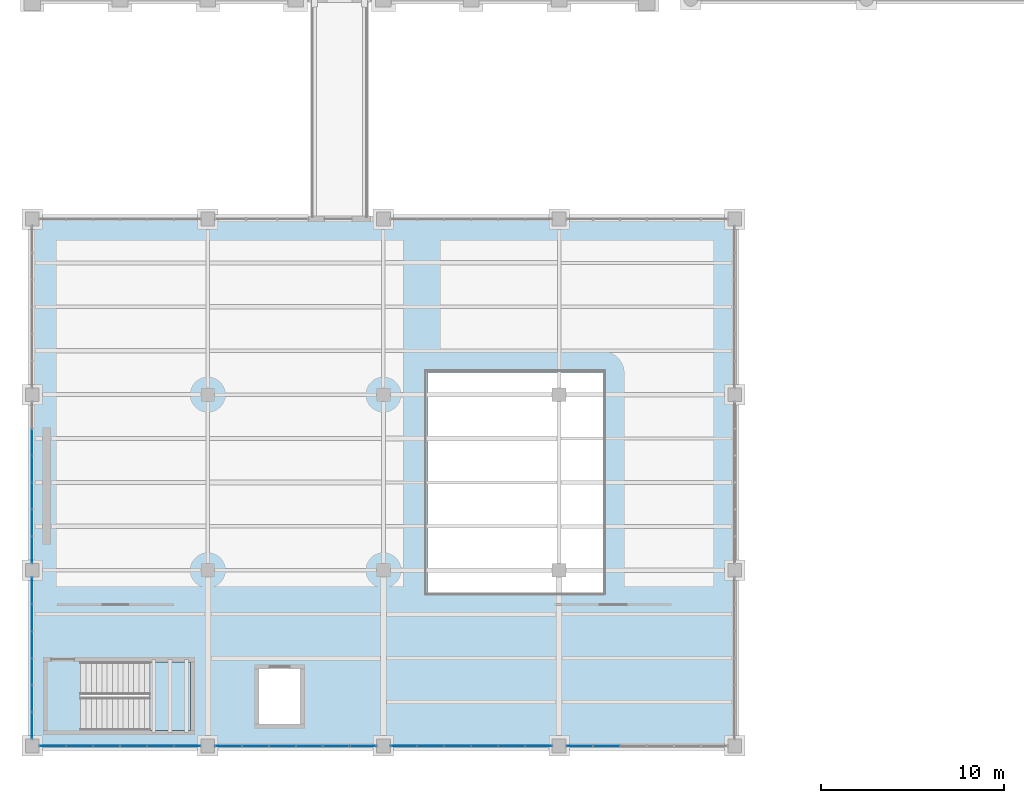
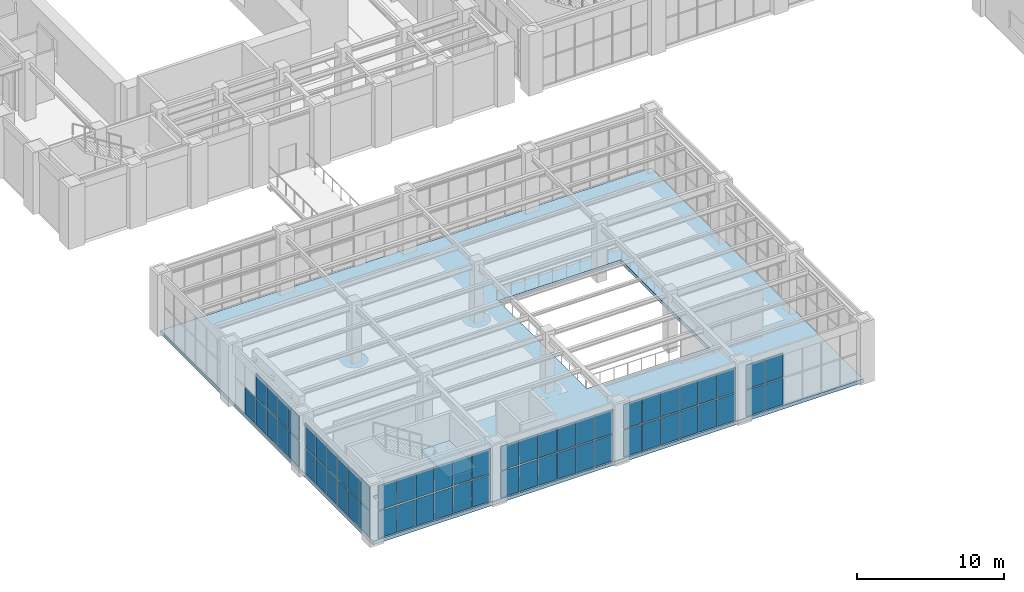
# One storey, part 122 of 174: 61 plates, 2 slabs, 7 elements without a shape of their own.
"""IFC4 building model written with IfcOpenShell, lengths in metres."""

from ifc_helpers import new_model, si_unit, direction, frame, origin, origin_2d, place, context, subcontext, project, spatial, polyline, rectangle, outline, extrude, material, layer, layer_set, type_object, element, aggregate, save


model = new_model("IFC4")

# Units and contexts
model_context = context("Model", 3, precision=1e-05, world=origin(), true_north=direction((0.0, 1.0)))
body_context = subcontext(model_context, "Body", "Model", "MODEL_VIEW")
ifc_project = project(units=[si_unit("LENGTHUNIT", "METRE"), si_unit("AREAUNIT", "SQUARE_METRE"), si_unit("VOLUMEUNIT", "CUBIC_METRE"), si_unit("PLANEANGLEUNIT", "RADIAN"), si_unit("MASSUNIT", "GRAM", prefix="KILO")], contexts=[model_context])

# Site, building, storey
site_placement = place(None, origin())
site = spatial("IfcSite", under=ifc_project, at=site_placement, CompositionType="ELEMENT")
building_placement = place(site_placement, origin())
building = spatial("IfcBuilding", under=site, at=building_placement, Name="Mavantir Sound Aquarium", CompositionType="ELEMENT")
storey_placement = place(building_placement, frame((0.0, 0.0, 5.39990234375)))
storey = spatial("IfcBuildingStorey", under=building, at=storey_placement, Name="L01", CompositionType="ELEMENT", Elevation=5.39990234375)

# Curtain wall, plates
ifc_material_1 = material(Name="Anodised Marine Aluminium and Low-E Glass", Category="aluminium")
curtain_wall_type_1 = type_object("IfcCurtainWallType", Name="CW-T03", PredefinedType="USERDEFINED", material=ifc_material_1)
curtain_wall_1_placement = place(storey_placement, origin())
curtain_wall_1 = element("IfcCurtainWall", 1, at=curtain_wall_1_placement, inside=storey, type_object=curtain_wall_type_1, Name="L01 unitised curtain wall CW-03 75", ObjectType="UNITISED GLAZING", PredefinedType="USERDEFINED")
ifc_material_2 = material(Name="Solar-Control Laminated Low-E Glass", Category="glass")
ifc_layer_1 = layer(ifc_material_2, 0.028076171875, Name="Solar-Control Laminated Low-E Glass")
ifc_layer_set_1 = layer_set([ifc_layer_1], Name="Solar-Control Laminated Low-E Glass")
plate_type_1 = type_object("IfcPlateType", Name="CW-PNL-28", PredefinedType="CURTAIN_PANEL", material=ifc_layer_set_1)
plate_1_placement = place(storey_placement, frame((0.0, 16.6083984375, 0.10302734375), z_axis=(0.0, 0.0, 1.0), x_axis=(0.0, -1.0, 0.0)))
plate_1 = element("IfcPlate", 2, at=plate_1_placement, type_object=plate_type_1, Name="CW-L01-075 glazed curtain panel 2.1", PredefinedType="CURTAIN_PANEL", context=body_context, shape_type="SweptSolid", body=[
    extrude(rectangle(XDim=1.42431640625, YDim=0.028076171875, at=origin_2d()), origin(), (0.0, 0.0, 1.0), 2.143798828125),
])
plate_2_placement = place(storey_placement, frame((0.0, 15.13623046875, 0.10302734375), z_axis=(0.0, 0.0, 1.0), x_axis=(0.0, -1.0, 0.0)))
plate_2 = element("IfcPlate", 3, at=plate_2_placement, type_object=plate_type_1, Name="CW-L01-075 glazed curtain panel 3.1", PredefinedType="CURTAIN_PANEL", context=body_context, shape_type="SweptSolid", body=[
    extrude(rectangle(XDim=1.42431640625, YDim=0.028076171875, at=origin_2d()), origin(), (0.0, 0.0, 1.0), 2.143798828125),
])
plate_3_placement = place(storey_placement, frame((0.0, 15.13623046875, 2.3427734375), z_axis=(0.0, 0.0, 1.0), x_axis=(0.0, -1.0, 0.0)))
plate_3 = element("IfcPlate", 4, at=plate_3_placement, type_object=plate_type_1, Name="CW-L01-075 glazed curtain panel 3.2", PredefinedType="CURTAIN_PANEL", context=body_context, shape_type="SweptSolid", body=[
    extrude(rectangle(XDim=1.42431640625, YDim=0.028076171875, at=origin_2d()), origin(), (0.0, 0.0, 1.0), 1.96728515625),
])
plate_4_placement = place(storey_placement, frame((0.0, 13.663818359375, 0.10302734375), z_axis=(0.0, 0.0, 1.0), x_axis=(0.0, -1.0, 0.0)))
plate_4 = element("IfcPlate", 5, at=plate_4_placement, type_object=plate_type_1, Name="CW-L01-075 glazed curtain panel 4.1", PredefinedType="CURTAIN_PANEL", context=body_context, shape_type="SweptSolid", body=[
    extrude(rectangle(XDim=1.42431640625, YDim=0.028076171875, at=origin_2d()), origin(), (0.0, 0.0, 1.0), 2.143798828125),
])
plate_5_placement = place(storey_placement, frame((0.0, 13.663818359375, 2.3427734375), z_axis=(0.0, 0.0, 1.0), x_axis=(0.0, -1.0, 0.0)))
plate_5 = element("IfcPlate", 6, at=plate_5_placement, type_object=plate_type_1, Name="CW-L01-075 glazed curtain panel 4.2", PredefinedType="CURTAIN_PANEL", context=body_context, shape_type="SweptSolid", body=[
    extrude(rectangle(XDim=1.42431640625, YDim=0.028076171875, at=origin_2d()), origin(), (0.0, 0.0, 1.0), 1.96728515625),
])
plate_6_placement = place(storey_placement, frame((0.0, 12.19140625, 0.10302734375), z_axis=(0.0, 0.0, 1.0), x_axis=(0.0, -1.0, 0.0)))
plate_6 = element("IfcPlate", 7, at=plate_6_placement, type_object=plate_type_1, Name="CW-L01-075 glazed curtain panel 5.1", PredefinedType="CURTAIN_PANEL", context=body_context, shape_type="SweptSolid", body=[
    extrude(rectangle(XDim=1.42431640625, YDim=0.028076171875, at=origin_2d()), origin(), (0.0, 0.0, 1.0), 2.143798828125),
])
plate_7_placement = place(storey_placement, frame((0.0, 12.19140625, 2.3427734375), z_axis=(0.0, 0.0, 1.0), x_axis=(0.0, -1.0, 0.0)))
plate_7 = element("IfcPlate", 8, at=plate_7_placement, type_object=plate_type_1, Name="CW-L01-075 glazed curtain panel 5.2", PredefinedType="CURTAIN_PANEL", context=body_context, shape_type="SweptSolid", body=[
    extrude(rectangle(XDim=1.42431640625, YDim=0.028076171875, at=origin_2d()), origin(), (0.0, 0.0, 1.0), 1.96728515625),
])
plate_8_placement = place(storey_placement, frame((0.0, 10.71923828125, 0.10302734375), z_axis=(0.0, 0.0, 1.0), x_axis=(0.0, -1.0, 0.0)))
plate_8 = element("IfcPlate", 9, at=plate_8_placement, type_object=plate_type_1, Name="CW-L01-075 glazed curtain panel 6.1", PredefinedType="CURTAIN_PANEL", context=body_context, shape_type="SweptSolid", body=[
    extrude(rectangle(XDim=1.42431640625, YDim=0.028076171875, at=origin_2d()), origin(), (0.0, 0.0, 1.0), 2.143798828125),
])
plate_9_placement = place(storey_placement, frame((0.0, 10.71923828125, 2.3427734375), z_axis=(0.0, 0.0, 1.0), x_axis=(0.0, -1.0, 0.0)))
plate_9 = element("IfcPlate", 10, at=plate_9_placement, type_object=plate_type_1, Name="CW-L01-075 glazed curtain panel 6.2", PredefinedType="CURTAIN_PANEL", context=body_context, shape_type="SweptSolid", body=[
    extrude(rectangle(XDim=1.42431640625, YDim=0.028076171875, at=origin_2d()), origin(), (0.0, 0.0, 1.0), 1.96728515625),
])
aggregate(curtain_wall_1, [plate_1, plate_2, plate_3, plate_4, plate_5, plate_6, plate_7, plate_8, plate_9])

curtain_wall_type_2 = type_object("IfcCurtainWallType", Name="CW-T05", PredefinedType="USERDEFINED", material=ifc_material_1)
curtain_wall_2_placement = place(storey_placement, origin())
curtain_wall_2 = element("IfcCurtainWall", 11, at=curtain_wall_2_placement, inside=storey, type_object=curtain_wall_type_2, Name="L01 unitised curtain wall CW-05 77", ObjectType="UNITISED GLAZING", PredefinedType="USERDEFINED")
plate_10_placement = place(storey_placement, frame((1.119140625, 0.0, 0.103271484375), z_axis=(0.0, 0.0, 1.0), x_axis=(1.0, 0.0, 0.0)))
plate_10 = element("IfcPlate", 12, at=plate_10_placement, type_object=plate_type_1, Name="CW-L01-077 glazed curtain panel 1.1", PredefinedType="CURTAIN_PANEL", context=body_context, shape_type="SweptSolid", body=[
    extrude(rectangle(XDim=1.42431640625, YDim=0.028076171875, at=origin_2d()), origin(), (0.0, 0.0, 1.0), 2.2216796875),
])
plate_11_placement = place(storey_placement, frame((1.119140625, 0.0, 2.4208984375), z_axis=(0.0, 0.0, 1.0), x_axis=(1.0, 0.0, 0.0)))
plate_11 = element("IfcPlate", 13, at=plate_11_placement, type_object=plate_type_1, Name="CW-L01-077 glazed curtain panel 1.2", PredefinedType="CURTAIN_PANEL", context=body_context, shape_type="SweptSolid", body=[
    extrude(rectangle(XDim=1.42431640625, YDim=0.028076171875, at=origin_2d()), origin(), (0.0, 0.0, 1.0), 2.039306640625),
])
plate_12_placement = place(storey_placement, frame((2.591552734375, 0.0, 0.103271484375), z_axis=(0.0, 0.0, 1.0), x_axis=(1.0, 0.0, 0.0)))
plate_12 = element("IfcPlate", 14, at=plate_12_placement, type_object=plate_type_1, Name="CW-L01-077 glazed curtain panel 2.1", PredefinedType="CURTAIN_PANEL", context=body_context, shape_type="SweptSolid", body=[
    extrude(rectangle(XDim=1.42431640625, YDim=0.028076171875, at=origin_2d()), origin(), (0.0, 0.0, 1.0), 2.2216796875),
])
plate_13_placement = place(storey_placement, frame((2.591552734375, 0.0, 2.4208984375), z_axis=(0.0, 0.0, 1.0), x_axis=(1.0, 0.0, 0.0)))
plate_13 = element("IfcPlate", 15, at=plate_13_placement, type_object=plate_type_1, Name="CW-L01-077 glazed curtain panel 2.2", PredefinedType="CURTAIN_PANEL", context=body_context, shape_type="SweptSolid", body=[
    extrude(rectangle(XDim=1.42431640625, YDim=0.028076171875, at=origin_2d()), origin(), (0.0, 0.0, 1.0), 2.039306640625),
])
plate_14_placement = place(storey_placement, frame((4.063720703125, 0.0, 0.103271484375), z_axis=(0.0, 0.0, 1.0), x_axis=(1.0, 0.0, 0.0)))
plate_14 = element("IfcPlate", 16, at=plate_14_placement, type_object=plate_type_1, Name="CW-L01-077 glazed curtain panel 3.1", PredefinedType="CURTAIN_PANEL", context=body_context, shape_type="SweptSolid", body=[
    extrude(rectangle(XDim=1.42431640625, YDim=0.028076171875, at=origin_2d()), origin(), (0.0, 0.0, 1.0), 2.2216796875),
])
plate_15_placement = place(storey_placement, frame((4.063720703125, 0.0, 2.4208984375), z_axis=(0.0, 0.0, 1.0), x_axis=(1.0, 0.0, 0.0)))
plate_15 = element("IfcPlate", 17, at=plate_15_placement, type_object=plate_type_1, Name="CW-L01-077 glazed curtain panel 3.2", PredefinedType="CURTAIN_PANEL", context=body_context, shape_type="SweptSolid", body=[
    extrude(rectangle(XDim=1.42431640625, YDim=0.028076171875, at=origin_2d()), origin(), (0.0, 0.0, 1.0), 2.039306640625),
])
plate_16_placement = place(storey_placement, frame((5.5361328125, 0.0, 0.103271484375), z_axis=(0.0, 0.0, 1.0), x_axis=(1.0, 0.0, 0.0)))
plate_16 = element("IfcPlate", 18, at=plate_16_placement, type_object=plate_type_1, Name="CW-L01-077 glazed curtain panel 4.1", PredefinedType="CURTAIN_PANEL", context=body_context, shape_type="SweptSolid", body=[
    extrude(rectangle(XDim=1.42431640625, YDim=0.028076171875, at=origin_2d()), origin(), (0.0, 0.0, 1.0), 2.2216796875),
])
plate_17_placement = place(storey_placement, frame((5.5361328125, 0.0, 2.4208984375), z_axis=(0.0, 0.0, 1.0), x_axis=(1.0, 0.0, 0.0)))
plate_17 = element("IfcPlate", 19, at=plate_17_placement, type_object=plate_type_1, Name="CW-L01-077 glazed curtain panel 4.2", PredefinedType="CURTAIN_PANEL", context=body_context, shape_type="SweptSolid", body=[
    extrude(rectangle(XDim=1.42431640625, YDim=0.028076171875, at=origin_2d()), origin(), (0.0, 0.0, 1.0), 2.039306640625),
])
plate_18_placement = place(storey_placement, frame((7.008544921875, 0.0, 0.103271484375), z_axis=(0.0, 0.0, 1.0), x_axis=(1.0, 0.0, 0.0)))
plate_18 = element("IfcPlate", 20, at=plate_18_placement, type_object=plate_type_1, Name="CW-L01-077 glazed curtain panel 5.1", PredefinedType="CURTAIN_PANEL", context=body_context, shape_type="SweptSolid", body=[
    extrude(rectangle(XDim=1.42431640625, YDim=0.028076171875, at=origin_2d()), origin(), (0.0, 0.0, 1.0), 2.2216796875),
])
plate_19_placement = place(storey_placement, frame((7.008544921875, 0.0, 2.4208984375), z_axis=(0.0, 0.0, 1.0), x_axis=(1.0, 0.0, 0.0)))
plate_19 = element("IfcPlate", 21, at=plate_19_placement, type_object=plate_type_1, Name="CW-L01-077 glazed curtain panel 5.2", PredefinedType="CURTAIN_PANEL", context=body_context, shape_type="SweptSolid", body=[
    extrude(rectangle(XDim=1.42431640625, YDim=0.028076171875, at=origin_2d()), origin(), (0.0, 0.0, 1.0), 2.039306640625),
])
plate_20_placement = place(storey_placement, frame((8.480712890625, 0.0, 0.103271484375), z_axis=(0.0, 0.0, 1.0), x_axis=(1.0, 0.0, 0.0)))
plate_20 = element("IfcPlate", 22, at=plate_20_placement, type_object=plate_type_1, Name="CW-L01-077 glazed curtain panel 6.1", PredefinedType="CURTAIN_PANEL", context=body_context, shape_type="SweptSolid", body=[
    extrude(rectangle(XDim=1.42431640625, YDim=0.028076171875, at=origin_2d()), origin(), (0.0, 0.0, 1.0), 2.2216796875),
])
plate_21_placement = place(storey_placement, frame((8.480712890625, 0.0, 2.4208984375), z_axis=(0.0, 0.0, 1.0), x_axis=(1.0, 0.0, 0.0)))
plate_21 = element("IfcPlate", 23, at=plate_21_placement, type_object=plate_type_1, Name="CW-L01-077 glazed curtain panel 6.2", PredefinedType="CURTAIN_PANEL", context=body_context, shape_type="SweptSolid", body=[
    extrude(rectangle(XDim=1.42431640625, YDim=0.028076171875, at=origin_2d()), origin(), (0.0, 0.0, 1.0), 2.039306640625),
])
aggregate(curtain_wall_2, [plate_10, plate_11, plate_12, plate_13, plate_14, plate_15, plate_16, plate_17, plate_18, plate_19, plate_20, plate_21])

curtain_wall_type_3 = type_object("IfcCurtainWallType", Name="CW-T07", PredefinedType="USERDEFINED", material=ifc_material_1)
curtain_wall_3_placement = place(storey_placement, origin())
curtain_wall_3 = element("IfcCurtainWall", 24, at=curtain_wall_3_placement, inside=storey, type_object=curtain_wall_type_3, Name="L01 unitised curtain wall CW-07 79", ObjectType="UNITISED GLAZING", PredefinedType="USERDEFINED")
plate_22_placement = place(storey_placement, frame((20.319091796875, 0.0, 0.103271484375), z_axis=(0.0, 0.0, 1.0), x_axis=(1.0, 0.0, 0.0)))
plate_22 = element("IfcPlate", 25, at=plate_22_placement, type_object=plate_type_1, Name="CW-L01-079 glazed curtain panel 1.1", PredefinedType="CURTAIN_PANEL", context=body_context, shape_type="SweptSolid", body=[
    extrude(rectangle(XDim=1.42431640625, YDim=0.028076171875, at=origin_2d()), origin(), (0.0, 0.0, 1.0), 2.2216796875),
])
plate_23_placement = place(storey_placement, frame((20.319091796875, 0.0, 2.4208984375), z_axis=(0.0, 0.0, 1.0), x_axis=(1.0, 0.0, 0.0)))
plate_23 = element("IfcPlate", 26, at=plate_23_placement, type_object=plate_type_1, Name="CW-L01-079 glazed curtain panel 1.2", PredefinedType="CURTAIN_PANEL", context=body_context, shape_type="SweptSolid", body=[
    extrude(rectangle(XDim=1.42431640625, YDim=0.028076171875, at=origin_2d()), origin(), (0.0, 0.0, 1.0), 2.039306640625),
])
plate_24_placement = place(storey_placement, frame((21.79150390625, 0.0, 0.103271484375), z_axis=(0.0, 0.0, 1.0), x_axis=(1.0, 0.0, 0.0)))
plate_24 = element("IfcPlate", 27, at=plate_24_placement, type_object=plate_type_1, Name="CW-L01-079 glazed curtain panel 2.1", PredefinedType="CURTAIN_PANEL", context=body_context, shape_type="SweptSolid", body=[
    extrude(rectangle(XDim=1.42431640625, YDim=0.028076171875, at=origin_2d()), origin(), (0.0, 0.0, 1.0), 2.2216796875),
])
plate_25_placement = place(storey_placement, frame((21.79150390625, 0.0, 2.4208984375), z_axis=(0.0, 0.0, 1.0), x_axis=(1.0, 0.0, 0.0)))
plate_25 = element("IfcPlate", 28, at=plate_25_placement, type_object=plate_type_1, Name="CW-L01-079 glazed curtain panel 2.2", PredefinedType="CURTAIN_PANEL", context=body_context, shape_type="SweptSolid", body=[
    extrude(rectangle(XDim=1.42431640625, YDim=0.028076171875, at=origin_2d()), origin(), (0.0, 0.0, 1.0), 2.039306640625),
])
plate_26_placement = place(storey_placement, frame((23.263916015625, 0.0, 0.103271484375), z_axis=(0.0, 0.0, 1.0), x_axis=(1.0, 0.0, 0.0)))
plate_26 = element("IfcPlate", 29, at=plate_26_placement, type_object=plate_type_1, Name="CW-L01-079 glazed curtain panel 3.1", PredefinedType="CURTAIN_PANEL", context=body_context, shape_type="SweptSolid", body=[
    extrude(rectangle(XDim=1.42431640625, YDim=0.028076171875, at=origin_2d()), origin(), (0.0, 0.0, 1.0), 2.2216796875),
])
plate_27_placement = place(storey_placement, frame((23.263916015625, 0.0, 2.4208984375), z_axis=(0.0, 0.0, 1.0), x_axis=(1.0, 0.0, 0.0)))
plate_27 = element("IfcPlate", 30, at=plate_27_placement, type_object=plate_type_1, Name="CW-L01-079 glazed curtain panel 3.2", PredefinedType="CURTAIN_PANEL", context=body_context, shape_type="SweptSolid", body=[
    extrude(rectangle(XDim=1.42431640625, YDim=0.028076171875, at=origin_2d()), origin(), (0.0, 0.0, 1.0), 2.039306640625),
])
plate_28_placement = place(storey_placement, frame((24.736083984375, 0.0, 0.103271484375), z_axis=(0.0, 0.0, 1.0), x_axis=(1.0, 0.0, 0.0)))
plate_28 = element("IfcPlate", 31, at=plate_28_placement, type_object=plate_type_1, Name="CW-L01-079 glazed curtain panel 4.1", PredefinedType="CURTAIN_PANEL", context=body_context, shape_type="SweptSolid", body=[
    extrude(rectangle(XDim=1.42431640625, YDim=0.028076171875, at=origin_2d()), origin(), (0.0, 0.0, 1.0), 2.2216796875),
])
plate_29_placement = place(storey_placement, frame((24.736083984375, 0.0, 2.4208984375), z_axis=(0.0, 0.0, 1.0), x_axis=(1.0, 0.0, 0.0)))
plate_29 = element("IfcPlate", 32, at=plate_29_placement, type_object=plate_type_1, Name="CW-L01-079 glazed curtain panel 4.2", PredefinedType="CURTAIN_PANEL", context=body_context, shape_type="SweptSolid", body=[
    extrude(rectangle(XDim=1.42431640625, YDim=0.028076171875, at=origin_2d()), origin(), (0.0, 0.0, 1.0), 2.039306640625),
])
plate_30_placement = place(storey_placement, frame((26.20849609375, 0.0, 0.103271484375), z_axis=(0.0, 0.0, 1.0), x_axis=(1.0, 0.0, 0.0)))
plate_30 = element("IfcPlate", 33, at=plate_30_placement, type_object=plate_type_1, Name="CW-L01-079 glazed curtain panel 5.1", PredefinedType="CURTAIN_PANEL", context=body_context, shape_type="SweptSolid", body=[
    extrude(rectangle(XDim=1.42431640625, YDim=0.028076171875, at=origin_2d()), origin(), (0.0, 0.0, 1.0), 2.2216796875),
])
plate_31_placement = place(storey_placement, frame((26.20849609375, 0.0, 2.4208984375), z_axis=(0.0, 0.0, 1.0), x_axis=(1.0, 0.0, 0.0)))
plate_31 = element("IfcPlate", 34, at=plate_31_placement, type_object=plate_type_1, Name="CW-L01-079 glazed curtain panel 5.2", PredefinedType="CURTAIN_PANEL", context=body_context, shape_type="SweptSolid", body=[
    extrude(rectangle(XDim=1.42431640625, YDim=0.028076171875, at=origin_2d()), origin(), (0.0, 0.0, 1.0), 2.039306640625),
])
plate_32_placement = place(storey_placement, frame((27.680908203125, 0.0, 0.103271484375), z_axis=(0.0, 0.0, 1.0), x_axis=(1.0, 0.0, 0.0)))
plate_32 = element("IfcPlate", 35, at=plate_32_placement, type_object=plate_type_1, Name="CW-L01-079 glazed curtain panel 6.1", PredefinedType="CURTAIN_PANEL", context=body_context, shape_type="SweptSolid", body=[
    extrude(rectangle(XDim=1.42431640625, YDim=0.028076171875, at=origin_2d()), origin(), (0.0, 0.0, 1.0), 2.2216796875),
])
plate_33_placement = place(storey_placement, frame((27.680908203125, 0.0, 2.4208984375), z_axis=(0.0, 0.0, 1.0), x_axis=(1.0, 0.0, 0.0)))
plate_33 = element("IfcPlate", 36, at=plate_33_placement, type_object=plate_type_1, Name="CW-L01-079 glazed curtain panel 6.2", PredefinedType="CURTAIN_PANEL", context=body_context, shape_type="SweptSolid", body=[
    extrude(rectangle(XDim=1.42431640625, YDim=0.028076171875, at=origin_2d()), origin(), (0.0, 0.0, 1.0), 2.039306640625),
])
aggregate(curtain_wall_3, [plate_22, plate_23, plate_24, plate_25, plate_26, plate_27, plate_28, plate_29, plate_30, plate_31, plate_32, plate_33])

curtain_wall_type_4 = type_object("IfcCurtainWallType", Name="CW-T04", PredefinedType="USERDEFINED", material=ifc_material_1)
curtain_wall_4_placement = place(storey_placement, origin())
curtain_wall_4 = element("IfcCurtainWall", 37, at=curtain_wall_4_placement, inside=storey, type_object=curtain_wall_type_4, Name="L01 unitised curtain wall CW-04 76", ObjectType="UNITISED GLAZING", PredefinedType="USERDEFINED")
ifc_layer_2 = layer(ifc_material_2, 0.031982421875, Name="Solar-Control Laminated Low-E Glass")
ifc_layer_set_2 = layer_set([ifc_layer_2], Name="Solar-Control Laminated Low-E Glass")
plate_type_2 = type_object("IfcPlateType", Name="CW-PNL-32", PredefinedType="CURTAIN_PANEL", material=ifc_layer_set_2)
plate_34_placement = place(storey_placement, frame((0.0, 8.480712890625, 0.10302734375), z_axis=(0.0, 0.0, 1.0), x_axis=(0.0, -1.0, 0.0)))
plate_34 = element("IfcPlate", 38, at=plate_34_placement, type_object=plate_type_2, Name="CW-L01-076 glazed curtain panel 1.1", PredefinedType="CURTAIN_PANEL", context=body_context, shape_type="SweptSolid", body=[
    extrude(rectangle(XDim=1.42431640625, YDim=0.031982421875, at=origin_2d()), origin(), (0.0, 0.0, 1.0), 2.110595703125),
])
plate_35_placement = place(storey_placement, frame((0.0, 8.480712890625, 2.3095703125), z_axis=(0.0, 0.0, 1.0), x_axis=(0.0, -1.0, 0.0)))
plate_35 = element("IfcPlate", 39, at=plate_35_placement, type_object=plate_type_2, Name="CW-L01-076 glazed curtain panel 1.2", PredefinedType="CURTAIN_PANEL", context=body_context, shape_type="SweptSolid", body=[
    extrude(rectangle(XDim=1.42431640625, YDim=0.031982421875, at=origin_2d()), origin(), (0.0, 0.0, 1.0), 1.9365234375),
])
plate_36_placement = place(storey_placement, frame((0.0, 7.008544921875, 0.10302734375), z_axis=(0.0, 0.0, 1.0), x_axis=(0.0, -1.0, 0.0)))
plate_36 = element("IfcPlate", 40, at=plate_36_placement, type_object=plate_type_2, Name="CW-L01-076 glazed curtain panel 2.1", PredefinedType="CURTAIN_PANEL", context=body_context, shape_type="SweptSolid", body=[
    extrude(rectangle(XDim=1.42431640625, YDim=0.031982421875, at=origin_2d()), origin(), (0.0, 0.0, 1.0), 2.110595703125),
])
plate_37_placement = place(storey_placement, frame((0.0, 7.008544921875, 2.3095703125), z_axis=(0.0, 0.0, 1.0), x_axis=(0.0, -1.0, 0.0)))
plate_37 = element("IfcPlate", 41, at=plate_37_placement, type_object=plate_type_2, Name="CW-L01-076 glazed curtain panel 2.2", PredefinedType="CURTAIN_PANEL", context=body_context, shape_type="SweptSolid", body=[
    extrude(rectangle(XDim=1.42431640625, YDim=0.031982421875, at=origin_2d()), origin(), (0.0, 0.0, 1.0), 1.9365234375),
])
plate_38_placement = place(storey_placement, frame((0.0, 5.5361328125, 0.10302734375), z_axis=(0.0, 0.0, 1.0), x_axis=(0.0, -1.0, 0.0)))
plate_38 = element("IfcPlate", 42, at=plate_38_placement, type_object=plate_type_2, Name="CW-L01-076 glazed curtain panel 3.1", PredefinedType="CURTAIN_PANEL", context=body_context, shape_type="SweptSolid", body=[
    extrude(rectangle(XDim=1.42431640625, YDim=0.031982421875, at=origin_2d()), origin(), (0.0, 0.0, 1.0), 2.110595703125),
])
plate_39_placement = place(storey_placement, frame((0.0, 5.5361328125, 2.3095703125), z_axis=(0.0, 0.0, 1.0), x_axis=(0.0, -1.0, 0.0)))
plate_39 = element("IfcPlate", 43, at=plate_39_placement, type_object=plate_type_2, Name="CW-L01-076 glazed curtain panel 3.2", PredefinedType="CURTAIN_PANEL", context=body_context, shape_type="SweptSolid", body=[
    extrude(rectangle(XDim=1.42431640625, YDim=0.031982421875, at=origin_2d()), origin(), (0.0, 0.0, 1.0), 1.9365234375),
])
plate_40_placement = place(storey_placement, frame((0.0, 4.063720703125, 0.10302734375), z_axis=(0.0, 0.0, 1.0), x_axis=(0.0, -1.0, 0.0)))
plate_40 = element("IfcPlate", 44, at=plate_40_placement, type_object=plate_type_2, Name="CW-L01-076 glazed curtain panel 4.1", PredefinedType="CURTAIN_PANEL", context=body_context, shape_type="SweptSolid", body=[
    extrude(rectangle(XDim=1.42431640625, YDim=0.031982421875, at=origin_2d()), origin(), (0.0, 0.0, 1.0), 2.110595703125),
])
plate_41_placement = place(storey_placement, frame((0.0, 4.063720703125, 2.3095703125), z_axis=(0.0, 0.0, 1.0), x_axis=(0.0, -1.0, 0.0)))
plate_41 = element("IfcPlate", 45, at=plate_41_placement, type_object=plate_type_2, Name="CW-L01-076 glazed curtain panel 4.2", PredefinedType="CURTAIN_PANEL", context=body_context, shape_type="SweptSolid", body=[
    extrude(rectangle(XDim=1.42431640625, YDim=0.031982421875, at=origin_2d()), origin(), (0.0, 0.0, 1.0), 1.9365234375),
])
plate_42_placement = place(storey_placement, frame((0.0, 2.591552734375, 0.10302734375), z_axis=(0.0, 0.0, 1.0), x_axis=(0.0, -1.0, 0.0)))
plate_42 = element("IfcPlate", 46, at=plate_42_placement, type_object=plate_type_2, Name="CW-L01-076 glazed curtain panel 5.1", PredefinedType="CURTAIN_PANEL", context=body_context, shape_type="SweptSolid", body=[
    extrude(rectangle(XDim=1.42431640625, YDim=0.031982421875, at=origin_2d()), origin(), (0.0, 0.0, 1.0), 2.110595703125),
])
plate_43_placement = place(storey_placement, frame((0.0, 2.591552734375, 2.3095703125), z_axis=(0.0, 0.0, 1.0), x_axis=(0.0, -1.0, 0.0)))
plate_43 = element("IfcPlate", 47, at=plate_43_placement, type_object=plate_type_2, Name="CW-L01-076 glazed curtain panel 5.2", PredefinedType="CURTAIN_PANEL", context=body_context, shape_type="SweptSolid", body=[
    extrude(rectangle(XDim=1.42431640625, YDim=0.031982421875, at=origin_2d()), origin(), (0.0, 0.0, 1.0), 1.9365234375),
])
plate_44_placement = place(storey_placement, frame((0.0, 1.119140625, 0.10302734375), z_axis=(0.0, 0.0, 1.0), x_axis=(0.0, -1.0, 0.0)))
plate_44 = element("IfcPlate", 48, at=plate_44_placement, type_object=plate_type_2, Name="CW-L01-076 glazed curtain panel 6.1", PredefinedType="CURTAIN_PANEL", context=body_context, shape_type="SweptSolid", body=[
    extrude(rectangle(XDim=1.42431640625, YDim=0.031982421875, at=origin_2d()), origin(), (0.0, 0.0, 1.0), 2.110595703125),
])
plate_45_placement = place(storey_placement, frame((0.0, 1.119140625, 2.3095703125), z_axis=(0.0, 0.0, 1.0), x_axis=(0.0, -1.0, 0.0)))
plate_45 = element("IfcPlate", 49, at=plate_45_placement, type_object=plate_type_2, Name="CW-L01-076 glazed curtain panel 6.2", PredefinedType="CURTAIN_PANEL", context=body_context, shape_type="SweptSolid", body=[
    extrude(rectangle(XDim=1.42431640625, YDim=0.031982421875, at=origin_2d()), origin(), (0.0, 0.0, 1.0), 1.9365234375),
])
aggregate(curtain_wall_4, [plate_34, plate_35, plate_36, plate_37, plate_38, plate_39, plate_40, plate_41, plate_42, plate_43, plate_44, plate_45])

curtain_wall_type_5 = type_object("IfcCurtainWallType", Name="CW-T06", PredefinedType="USERDEFINED", material=ifc_material_1)
curtain_wall_5_placement = place(storey_placement, origin())
curtain_wall_5 = element("IfcCurtainWall", 50, at=curtain_wall_5_placement, inside=storey, type_object=curtain_wall_type_5, Name="L01 unitised curtain wall CW-06 78", ObjectType="UNITISED GLAZING", PredefinedType="USERDEFINED")
plate_46_placement = place(storey_placement, frame((10.71923828125, 0.0, 0.10302734375), z_axis=(0.0, 0.0, 1.0), x_axis=(1.0, 0.0, 0.0)))
plate_46 = element("IfcPlate", 51, at=plate_46_placement, type_object=plate_type_2, Name="CW-L01-078 glazed curtain panel 1.1", PredefinedType="CURTAIN_PANEL", context=body_context, shape_type="SweptSolid", body=[
    extrude(rectangle(XDim=1.42431640625, YDim=0.031982421875, at=origin_2d()), origin(), (0.0, 0.0, 1.0), 2.167236328125),
])
plate_47_placement = place(storey_placement, frame((10.71923828125, 0.0, 2.3662109375), z_axis=(0.0, 0.0, 1.0), x_axis=(1.0, 0.0, 0.0)))
plate_47 = element("IfcPlate", 52, at=plate_47_placement, type_object=plate_type_2, Name="CW-L01-078 glazed curtain panel 1.2", PredefinedType="CURTAIN_PANEL", context=body_context, shape_type="SweptSolid", body=[
    extrude(rectangle(XDim=1.42431640625, YDim=0.031982421875, at=origin_2d()), origin(), (0.0, 0.0, 1.0), 1.98876953125),
])
plate_48_placement = place(storey_placement, frame((12.19140625, 0.0, 0.10302734375), z_axis=(0.0, 0.0, 1.0), x_axis=(1.0, 0.0, 0.0)))
plate_48 = element("IfcPlate", 53, at=plate_48_placement, type_object=plate_type_2, Name="CW-L01-078 glazed curtain panel 2.1", PredefinedType="CURTAIN_PANEL", context=body_context, shape_type="SweptSolid", body=[
    extrude(rectangle(XDim=1.42431640625, YDim=0.031982421875, at=origin_2d()), origin(), (0.0, 0.0, 1.0), 2.167236328125),
])
plate_49_placement = place(storey_placement, frame((12.19140625, 0.0, 2.3662109375), z_axis=(0.0, 0.0, 1.0), x_axis=(1.0, 0.0, 0.0)))
plate_49 = element("IfcPlate", 54, at=plate_49_placement, type_object=plate_type_2, Name="CW-L01-078 glazed curtain panel 2.2", PredefinedType="CURTAIN_PANEL", context=body_context, shape_type="SweptSolid", body=[
    extrude(rectangle(XDim=1.42431640625, YDim=0.031982421875, at=origin_2d()), origin(), (0.0, 0.0, 1.0), 1.98876953125),
])
plate_50_placement = place(storey_placement, frame((13.663818359375, 0.0, 0.10302734375), z_axis=(0.0, 0.0, 1.0), x_axis=(1.0, 0.0, 0.0)))
plate_50 = element("IfcPlate", 55, at=plate_50_placement, type_object=plate_type_2, Name="CW-L01-078 glazed curtain panel 3.1", PredefinedType="CURTAIN_PANEL", context=body_context, shape_type="SweptSolid", body=[
    extrude(rectangle(XDim=1.42431640625, YDim=0.031982421875, at=origin_2d()), origin(), (0.0, 0.0, 1.0), 2.167236328125),
])
plate_51_placement = place(storey_placement, frame((13.663818359375, 0.0, 2.3662109375), z_axis=(0.0, 0.0, 1.0), x_axis=(1.0, 0.0, 0.0)))
plate_51 = element("IfcPlate", 56, at=plate_51_placement, type_object=plate_type_2, Name="CW-L01-078 glazed curtain panel 3.2", PredefinedType="CURTAIN_PANEL", context=body_context, shape_type="SweptSolid", body=[
    extrude(rectangle(XDim=1.42431640625, YDim=0.031982421875, at=origin_2d()), origin(), (0.0, 0.0, 1.0), 1.98876953125),
])
plate_52_placement = place(storey_placement, frame((15.13623046875, 0.0, 0.10302734375), z_axis=(0.0, 0.0, 1.0), x_axis=(1.0, 0.0, 0.0)))
plate_52 = element("IfcPlate", 57, at=plate_52_placement, type_object=plate_type_2, Name="CW-L01-078 glazed curtain panel 4.1", PredefinedType="CURTAIN_PANEL", context=body_context, shape_type="SweptSolid", body=[
    extrude(rectangle(XDim=1.42431640625, YDim=0.031982421875, at=origin_2d()), origin(), (0.0, 0.0, 1.0), 2.167236328125),
])
plate_53_placement = place(storey_placement, frame((15.13623046875, 0.0, 2.3662109375), z_axis=(0.0, 0.0, 1.0), x_axis=(1.0, 0.0, 0.0)))
plate_53 = element("IfcPlate", 58, at=plate_53_placement, type_object=plate_type_2, Name="CW-L01-078 glazed curtain panel 4.2", PredefinedType="CURTAIN_PANEL", context=body_context, shape_type="SweptSolid", body=[
    extrude(rectangle(XDim=1.42431640625, YDim=0.031982421875, at=origin_2d()), origin(), (0.0, 0.0, 1.0), 1.98876953125),
])
plate_54_placement = place(storey_placement, frame((16.6083984375, 0.0, 0.10302734375), z_axis=(0.0, 0.0, 1.0), x_axis=(1.0, 0.0, 0.0)))
plate_54 = element("IfcPlate", 59, at=plate_54_placement, type_object=plate_type_2, Name="CW-L01-078 glazed curtain panel 5.1", PredefinedType="CURTAIN_PANEL", context=body_context, shape_type="SweptSolid", body=[
    extrude(rectangle(XDim=1.42431640625, YDim=0.031982421875, at=origin_2d()), origin(), (0.0, 0.0, 1.0), 2.167236328125),
])
plate_55_placement = place(storey_placement, frame((16.6083984375, 0.0, 2.3662109375), z_axis=(0.0, 0.0, 1.0), x_axis=(1.0, 0.0, 0.0)))
plate_55 = element("IfcPlate", 60, at=plate_55_placement, type_object=plate_type_2, Name="CW-L01-078 glazed curtain panel 5.2", PredefinedType="CURTAIN_PANEL", context=body_context, shape_type="SweptSolid", body=[
    extrude(rectangle(XDim=1.42431640625, YDim=0.031982421875, at=origin_2d()), origin(), (0.0, 0.0, 1.0), 1.98876953125),
])
plate_56_placement = place(storey_placement, frame((18.080810546875, 0.0, 0.10302734375), z_axis=(0.0, 0.0, 1.0), x_axis=(1.0, 0.0, 0.0)))
plate_56 = element("IfcPlate", 61, at=plate_56_placement, type_object=plate_type_2, Name="CW-L01-078 glazed curtain panel 6.1", PredefinedType="CURTAIN_PANEL", context=body_context, shape_type="SweptSolid", body=[
    extrude(rectangle(XDim=1.42431640625, YDim=0.031982421875, at=origin_2d()), origin(), (0.0, 0.0, 1.0), 2.167236328125),
])
plate_57_placement = place(storey_placement, frame((18.080810546875, 0.0, 2.3662109375), z_axis=(0.0, 0.0, 1.0), x_axis=(1.0, 0.0, 0.0)))
plate_57 = element("IfcPlate", 62, at=plate_57_placement, type_object=plate_type_2, Name="CW-L01-078 glazed curtain panel 6.2", PredefinedType="CURTAIN_PANEL", context=body_context, shape_type="SweptSolid", body=[
    extrude(rectangle(XDim=1.42431640625, YDim=0.031982421875, at=origin_2d()), origin(), (0.0, 0.0, 1.0), 1.98876953125),
])
aggregate(curtain_wall_5, [plate_46, plate_47, plate_48, plate_49, plate_50, plate_51, plate_52, plate_53, plate_54, plate_55, plate_56, plate_57])

curtain_wall_type_6 = type_object("IfcCurtainWallType", Name="CW-T08", PredefinedType="USERDEFINED", material=ifc_material_1)
curtain_wall_6_placement = place(storey_placement, origin())
curtain_wall_6 = element("IfcCurtainWall", 63, at=curtain_wall_6_placement, inside=storey, type_object=curtain_wall_type_6, Name="L01 unitised curtain wall CW-08 80", ObjectType="UNITISED GLAZING", PredefinedType="USERDEFINED")
plate_58_placement = place(storey_placement, frame((29.919189453125, 0.0, 0.10302734375), z_axis=(0.0, 0.0, 1.0), x_axis=(1.0, 0.0, 0.0)))
plate_58 = element("IfcPlate", 64, at=plate_58_placement, type_object=plate_type_2, Name="CW-L01-080 glazed curtain panel 1.1", PredefinedType="CURTAIN_PANEL", context=body_context, shape_type="SweptSolid", body=[
    extrude(rectangle(XDim=1.42431640625, YDim=0.031982421875, at=origin_2d()), origin(), (0.0, 0.0, 1.0), 2.167236328125),
])
plate_59_placement = place(storey_placement, frame((29.919189453125, 0.0, 2.3662109375), z_axis=(0.0, 0.0, 1.0), x_axis=(1.0, 0.0, 0.0)))
plate_59 = element("IfcPlate", 65, at=plate_59_placement, type_object=plate_type_2, Name="CW-L01-080 glazed curtain panel 1.2", PredefinedType="CURTAIN_PANEL", context=body_context, shape_type="SweptSolid", body=[
    extrude(rectangle(XDim=1.42431640625, YDim=0.031982421875, at=origin_2d()), origin(), (0.0, 0.0, 1.0), 1.98876953125),
])
plate_60_placement = place(storey_placement, frame((31.3916015625, 0.0, 0.10302734375), z_axis=(0.0, 0.0, 1.0), x_axis=(1.0, 0.0, 0.0)))
plate_60 = element("IfcPlate", 66, at=plate_60_placement, type_object=plate_type_2, Name="CW-L01-080 glazed curtain panel 2.1", PredefinedType="CURTAIN_PANEL", context=body_context, shape_type="SweptSolid", body=[
    extrude(rectangle(XDim=1.42431640625, YDim=0.031982421875, at=origin_2d()), origin(), (0.0, 0.0, 1.0), 2.167236328125),
])
plate_61_placement = place(storey_placement, frame((31.3916015625, 0.0, 2.3662109375), z_axis=(0.0, 0.0, 1.0), x_axis=(1.0, 0.0, 0.0)))
plate_61 = element("IfcPlate", 67, at=plate_61_placement, type_object=plate_type_2, Name="CW-L01-080 glazed curtain panel 2.2", PredefinedType="CURTAIN_PANEL", context=body_context, shape_type="SweptSolid", body=[
    extrude(rectangle(XDim=1.42431640625, YDim=0.031982421875, at=origin_2d()), origin(), (0.0, 0.0, 1.0), 1.98876953125),
])
aggregate(curtain_wall_6, [plate_58, plate_59, plate_60, plate_61])

# Slab
ifc_material_3 = material(Name="Concrete C40/50", Category="concrete")
ifc_layer_3 = layer(ifc_material_3, 0.300048828125, Name="Concrete C40/50")
ifc_layer_set_3 = layer_set([ifc_layer_3], Name="Concrete C40/50")
slab_type_1 = type_object("IfcSlabType", Name="SLB-FS-03", PredefinedType="FLOOR", material=ifc_layer_set_3)
slab_1_placement = place(storey_placement, frame((0.0, 0.0, -0.2998046875)))
element("IfcSlab", 68, at=slab_1_placement, inside=storey, type_object=slab_type_1, Name="L01 structural slab FS-03 (V3)", PredefinedType="FLOOR", context=body_context, shape_type="SweptSolid", body=[
    extrude(outline(polyline([(38.39990234375, 0.0), (38.39990234375, 28.800048828125), (0.0, 28.800048828125), (0.0, 0.0), (38.39990234375, 0.0)]), holes=[polyline([(21.60009765625, 8.39990234375), (31.199951171875, 8.39990234375), (31.199951171875, 20.39990234375), (21.60009765625, 20.39990234375), (21.60009765625, 8.39990234375)]), polyline([(2.64990234375, 0.85009765625), (8.64990234375, 0.85009765625), (8.64990234375, 4.60009765625), (2.64990234375, 4.60009765625), (2.64990234375, 0.85009765625)]), polyline([(12.39990234375, 1.199951171875), (14.64990234375, 1.199951171875), (14.64990234375, 4.199951171875), (12.39990234375, 4.199951171875), (12.39990234375, 1.199951171875)])]), origin(), (0.0, 0.0, 1.0), 0.2998046875),
])

# Stair, slab
stair_type = type_object("IfcStairType", Name="STR-1800-5100", PredefinedType="HALF_TURN_STAIR", material=ifc_material_3)
stair_placement = place(storey_placement, origin())
stair = element("IfcStair", 69, at=stair_placement, inside=storey, type_object=stair_type, Name="L01 Protected exit stair ST3", PredefinedType="HALF_TURN_STAIR")
ifc_layer_4 = layer(ifc_material_3, 0.199951171875, Name="Concrete C40/50")
ifc_layer_set_4 = layer_set([ifc_layer_4], Name="Concrete C40/50")
slab_type_2 = type_object("IfcSlabType", Name="SLB-LND-360", PredefinedType="LANDING", material=ifc_layer_set_4)
slab_2_placement = place(storey_placement, frame((0.0, 0.0, 2.35009765625)))
slab_2 = element("IfcSlab", 70, at=slab_2_placement, type_object=slab_type_2, Name="ST3 landing 1", PredefinedType="LANDING", context=body_context, shape_type="SweptSolid", body=[
    extrude(outline(polyline([(6.419921875, 0.85009765625), (8.64990234375, 0.85009765625), (8.64990234375, 4.60009765625), (6.419921875, 4.60009765625), (6.419921875, 0.85009765625)])), origin(), (0.0, 0.0, 1.0), 0.199951171875),
])
aggregate(stair, [slab_2])

save(model, "model.ifc")
